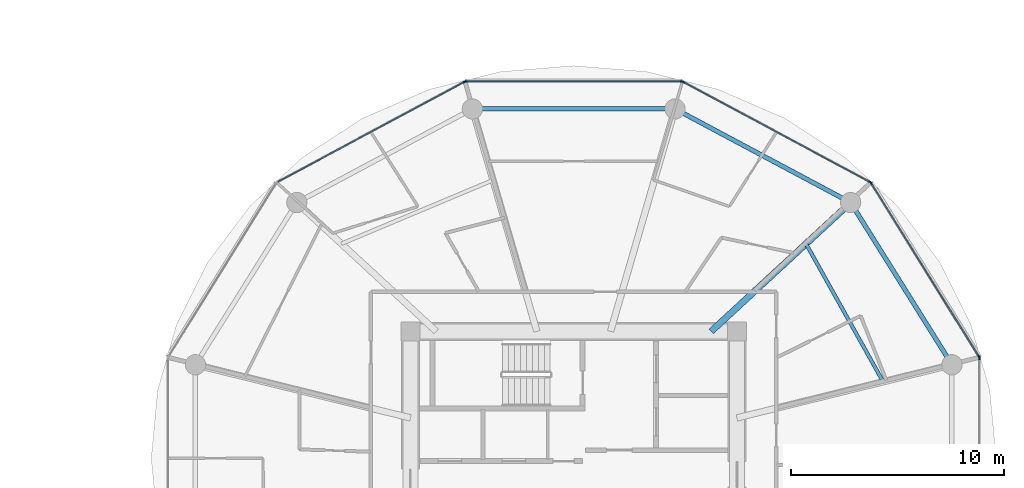
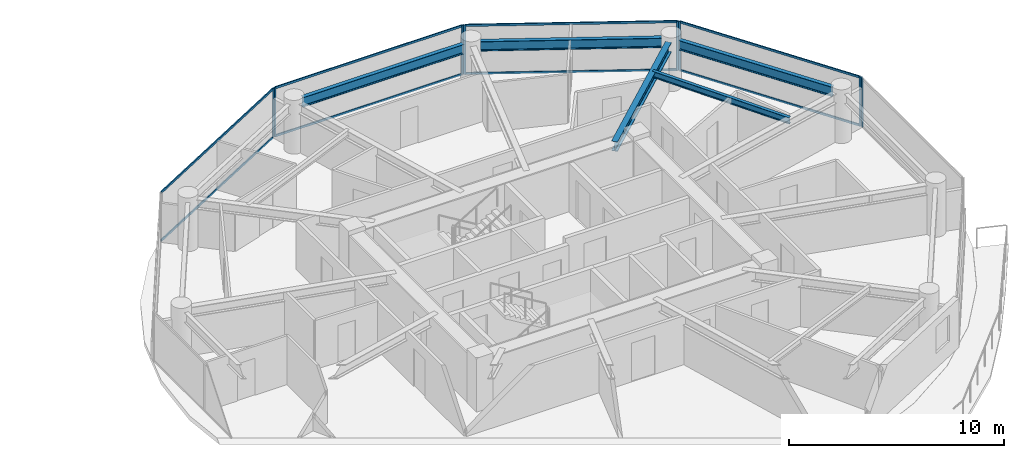
# One storey, part 13 of 26: 16 members, 5 beams, 5 elements without a shape of their own.
"""IFC4 building model written with IfcOpenShell, lengths in metres."""

from ifc_helpers import new_model, si_unit, direction, frame, origin, origin_2d, place, context, subcontext, project, spatial, rectangle, i_section, extrude, source, transform, mapped, material, layer, layer_set, material_profile, profile_set, type_object, type_shapes, element, aggregate, save


model = new_model("IFC4")

# Units and contexts
model_context = context("Model", 3, precision=1e-05, world=origin(), true_north=direction((0.0, 1.0)))
body_context = subcontext(model_context, "Body", "Model", "MODEL_VIEW")
ifc_project = project(units=[si_unit("LENGTHUNIT", "METRE"), si_unit("AREAUNIT", "SQUARE_METRE"), si_unit("VOLUMEUNIT", "CUBIC_METRE"), si_unit("PLANEANGLEUNIT", "RADIAN"), si_unit("MASSUNIT", "GRAM", prefix="KILO")], contexts=[model_context])

# Site, building, storey
site_placement = place(None, origin())
site = spatial("IfcSite", under=ifc_project, at=site_placement, CompositionType="ELEMENT")
building_placement = place(site_placement, origin())
building = spatial("IfcBuilding", under=site, at=building_placement, Name="Norrkilde Senior Care Towers", CompositionType="ELEMENT")
storey_placement = place(building_placement, frame((0.0, 0.0, 24.64990234375)))
storey = spatial("IfcBuildingStorey", under=building, at=storey_placement, Name="L06", CompositionType="ELEMENT", Elevation=24.64990234375)

# Beams
ifc_material_1 = material(Name="Steel S355", Category="steel")
ifc_material_profile_1 = material_profile(ifc_material_1, i_section(OverallWidth=0.2099609375, OverallDepth=0.550048828125, WebThickness=0.010986328125, FlangeThickness=0.01708984375, FilletRadius=0.02392578125, at=origin_2d()), Name="IPE 550")
ifc_profile_set_1 = profile_set([ifc_material_profile_1], Name="Steel S355")
beam_type_1 = type_object("IfcBeamType", Name="Perimeter Ring Spandrel Z1 IPE550", PredefinedType="SPANDREL", material=ifc_profile_set_1)
shared_shape_1 = source(origin(), body_context, "Body", "SweptSolid", [
    extrude(i_section(OverallWidth=0.2099609375, OverallDepth=0.550048828125, WebThickness=0.010986328125, FlangeThickness=0.01708984375, FilletRadius=0.02392578125, at=origin_2d()), origin(), (0.0, 0.0, 1.0), 8.090576171875),
])
beam_1_placement = place(storey_placement, frame((45.494140625, 4.755859375, 2.51513671875), z_axis=(-0.530004364821, 0.84799491347, 0.0), x_axis=(-0.84799491347, -0.530004364821, 0.0)))
element("IfcBeam", 1, at=beam_1_placement, inside=storey, type_object=beam_type_1, Name="L06 Drum E Perimeter Spandrel 01", PredefinedType="SPANDREL", context=body_context, shape_type="MappedRepresentation", body=[
    mapped(shared_shape_1, transform((0.0, 0.0, 0.0), x_axis=(1.0, 0.0, 0.0), y_axis=(0.0, 1.0, 0.0), z_axis=(0.0, 0.0, 1.0), scale=1.0)),
])
shared_shape_2 = source(origin(), body_context, "Body", "SweptSolid", [
    extrude(i_section(OverallWidth=0.2099609375, OverallDepth=0.550048828125, WebThickness=0.010986328125, FlangeThickness=0.01708984375, FilletRadius=0.02392578125, at=origin_2d()), origin(), (0.0, 0.0, 1.0), 8.452880859375),
])
beam_2_placement = place(storey_placement, frame((40.591552734375, 12.190185546875, 2.51513671875), z_axis=(-0.882368931134, 0.470558252898, 0.0), x_axis=(-0.470558252898, -0.882368931134, 0.0)))
element("IfcBeam", 2, at=beam_2_placement, inside=storey, type_object=beam_type_1, Name="L06 Drum E Perimeter Spandrel 02", PredefinedType="SPANDREL", context=body_context, shape_type="MappedRepresentation", body=[
    mapped(shared_shape_2, transform((0.0, 0.0, 0.0), x_axis=(1.0, 0.0, 0.0), y_axis=(0.0, 1.0, 0.0), z_axis=(0.0, 0.0, 1.0), scale=1.0)),
])
ifc_material_profile_2 = material_profile(ifc_material_1, i_section(OverallWidth=0.300048828125, OverallDepth=0.550048828125, WebThickness=0.014892578125, FlangeThickness=0.029052734375, FilletRadius=0.027099609375, at=origin_2d()), Name="HEB 550")
ifc_profile_set_2 = profile_set([ifc_material_profile_2], Name="Steel S355")
beam_type_2 = type_object("IfcBeamType", Name="Radial Floor Beam Z1 HEB550", PredefinedType="BEAM", material=ifc_profile_set_2)
shared_shape_3 = source(origin(), body_context, "Body", "SweptSolid", [
    extrude(i_section(OverallWidth=0.300048828125, OverallDepth=0.550048828125, WebThickness=0.014892578125, FlangeThickness=0.029052734375, FilletRadius=0.027099609375, at=origin_2d()), origin(), (0.0, 0.0, 1.0), 8.459716796875),
])
type_shapes(beam_type_2, [shared_shape_3])
beam_3_placement = place(storey_placement, frame((34.44140625, 5.949951171875, 2.51513671875), z_axis=(0.734573269108, 0.678529374686, 0.0), x_axis=(-0.678529374686, 0.734573269108, 0.0)))
element("IfcBeam", 3, at=beam_3_placement, inside=storey, type_object=beam_type_2, Name="L06 Drum E Radial Floor Beam 02", PredefinedType="BEAM", context=body_context, shape_type="MappedRepresentation", body=[
    mapped(shared_shape_3, transform((0.0, 0.0, 0.0), x_axis=(1.0, 0.0, 0.0), y_axis=(0.0, 1.0, 0.0), z_axis=(0.0, 0.0, 1.0), scale=1.0)),
])
shared_shape_4 = source(origin(), body_context, "Body", "SweptSolid", [
    extrude(i_section(OverallWidth=0.2099609375, OverallDepth=0.550048828125, WebThickness=0.010986328125, FlangeThickness=0.01708984375, FilletRadius=0.02392578125, at=origin_2d()), origin(), (0.0, 0.0, 1.0), 8.62841796875),
])
type_shapes(beam_type_1, [shared_shape_1, shared_shape_2, shared_shape_4])
beam_4_placement = place(storey_placement, frame((32.314208984375, 16.37255859375, 2.51513671875), z_axis=(-1.0, 0.0, 0.0), x_axis=(0.0, -1.0, 0.0)))
element("IfcBeam", 4, at=beam_4_placement, inside=storey, type_object=beam_type_1, Name="L06 Drum E Perimeter Spandrel 03", PredefinedType="SPANDREL", context=body_context, shape_type="MappedRepresentation", body=[
    mapped(shared_shape_4, transform((0.0, 0.0, 0.0), x_axis=(1.0, 0.0, 0.0), y_axis=(0.0, 1.0, 0.0), z_axis=(0.0, 0.0, 1.0), scale=1.0)),
])
ifc_material_profile_3 = material_profile(ifc_material_1, i_section(OverallWidth=0.169921875, OverallDepth=0.360107421875, WebThickness=0.008056640625, FlangeThickness=0.0126953125, FilletRadius=0.01806640625, at=origin_2d()), Name="IPE 360")
ifc_profile_set_3 = profile_set([ifc_material_profile_3], Name="Steel S355")
beam_type_3 = type_object("IfcBeamType", Name="Secondary Floor Joist IPE360", PredefinedType="JOIST", material=ifc_profile_set_3)
shared_shape_5 = source(origin(), body_context, "Body", "SweptSolid", [
    extrude(i_section(OverallWidth=0.169921875, OverallDepth=0.360107421875, WebThickness=0.008056640625, FlangeThickness=0.0126953125, FilletRadius=0.01806640625, at=origin_2d()), origin(), (0.0, 0.0, 1.0), 7.40771484375),
])
type_shapes(beam_type_3, [shared_shape_5])
beam_5_placement = place(storey_placement, frame((42.500732421875, 3.589111328125, 2.610107421875), z_axis=(-0.488167754092, 0.872749817453, 0.0), x_axis=(-0.872749817453, -0.488167754092, 0.0)))
element("IfcBeam", 5, at=beam_5_placement, inside=storey, type_object=beam_type_3, Name="L06 Drum E Secondary Floor Joist 1", PredefinedType="JOIST", context=body_context, shape_type="MappedRepresentation", body=[
    mapped(shared_shape_5, transform((0.0, 0.0, 0.0), x_axis=(1.0, 0.0, 0.0), y_axis=(0.0, 1.0, 0.0), z_axis=(0.0, 0.0, 1.0), scale=1.0)),
])

# Curtain wall, members
ifc_material_2 = material(Name="Triple Low-E Insulated Glazing", Category="glass")
ifc_layer = layer(ifc_material_2, 0.199951171875)
ifc_layer_set = layer_set([ifc_layer], Name="Triple Low-E Insulated Glazing")
curtain_wall_type = type_object("IfcCurtainWallType", Name="CW2 Zone 1 Memory Care Curtain Wall", PredefinedType="NOTDEFINED", material=ifc_layer_set)
curtain_wall_1_placement = place(storey_placement, origin())
curtain_wall_1 = element("IfcCurtainWall", 6, at=curtain_wall_1_placement, inside=storey, type_object=curtain_wall_type, Name="L06 Drum E Curtain Wall 00", PredefinedType="NOTDEFINED")
ifc_material_3 = material(Name="Anodised Aluminium", Category="aluminium")
ifc_material_profile_4 = material_profile(ifc_material_3, rectangle(XDim=0.06494140625, YDim=0.159912109375, at=origin_2d()), Name="ALU MULL 65x160")
ifc_profile_set_4 = profile_set([ifc_material_profile_4], Name="Anodised Aluminium")
member_type_1 = type_object("IfcMemberType", Name="Curtain Wall Mullion Z1-Z2 65x160", PredefinedType="MULLION", material=ifc_profile_set_4)
shared_shape_6 = source(origin(), body_context, "Body", "SweptSolid", [
    extrude(rectangle(XDim=0.06494140625, YDim=0.159912109375, at=origin_2d()), origin(), (0.0, 0.0, 1.0), 2.7900390625),
])
type_shapes(member_type_1, [shared_shape_6])
member_1_placement = place(storey_placement, frame((41.93310546875, 12.898193359375, 0.0), z_axis=(0.0, 0.0, 1.0), x_axis=(0.849305943117, 0.527900951871, 0.0)))
member_1 = element("IfcMember", 7, at=member_1_placement, type_object=member_type_1, Name="CW-2 mullion 1", PredefinedType="MULLION", context=body_context, shape_type="MappedRepresentation", body=[
    mapped(shared_shape_6, transform((0.0, 0.0, 0.0), x_axis=(1.0, 0.0, 0.0), y_axis=(0.0, 1.0, 0.0), z_axis=(0.0, 0.0, 1.0), scale=1.0)),
])
member_2_placement = place(storey_placement, frame((46.9921875, 4.7587890625, 0.0), z_axis=(0.0, 0.0, 1.0), x_axis=(0.849305943117, 0.527900951871, 0.0)))
member_2 = element("IfcMember", 8, at=member_2_placement, type_object=member_type_1, Name="CW-2 mullion 2", PredefinedType="MULLION", context=body_context, shape_type="MappedRepresentation", body=[
    mapped(shared_shape_6, transform((0.0, 0.0, 0.0), x_axis=(1.0, 0.0, 0.0), y_axis=(0.0, 1.0, 0.0), z_axis=(0.0, 0.0, 1.0), scale=1.0)),
])

curtain_wall_2_placement = place(storey_placement, origin())
curtain_wall_2 = element("IfcCurtainWall", 9, at=curtain_wall_2_placement, inside=storey, type_object=curtain_wall_type, Name="L06 Drum E Curtain Wall 01", PredefinedType="NOTDEFINED")
member_3_placement = place(storey_placement, frame((33.122314453125, 17.641845703125, 0.0), z_axis=(0.0, 0.0, 1.0), x_axis=(0.472607802456, 0.881272866403, 0.0)))
member_3 = element("IfcMember", 10, at=member_3_placement, type_object=member_type_1, Name="CW-2 mullion 1", PredefinedType="MULLION", context=body_context, shape_type="MappedRepresentation", body=[
    mapped(shared_shape_6, transform((0.0, 0.0, 0.0), x_axis=(1.0, 0.0, 0.0), y_axis=(0.0, 1.0, 0.0), z_axis=(0.0, 0.0, 1.0), scale=1.0)),
])
member_4_placement = place(storey_placement, frame((41.88720703125, 12.941162109375, 0.0), z_axis=(0.0, 0.0, 1.0), x_axis=(0.472607802456, 0.881272866403, 0.0)))
member_4 = element("IfcMember", 11, at=member_4_placement, type_object=member_type_1, Name="CW-2 mullion 2", PredefinedType="MULLION", context=body_context, shape_type="MappedRepresentation", body=[
    mapped(shared_shape_6, transform((0.0, 0.0, 0.0), x_axis=(1.0, 0.0, 0.0), y_axis=(0.0, 1.0, 0.0), z_axis=(0.0, 0.0, 1.0), scale=1.0)),
])

curtain_wall_3_placement = place(storey_placement, origin())
curtain_wall_3 = element("IfcCurtainWall", 12, at=curtain_wall_3_placement, inside=storey, type_object=curtain_wall_type, Name="L06 Drum E Curtain Wall 02", PredefinedType="NOTDEFINED")
member_5_placement = place(storey_placement, frame((22.93896484375, 17.6572265625, 0.0), z_axis=(0.0, 0.0, 1.0), x_axis=(0.0, 1.0, 0.0)))
member_5 = element("IfcMember", 13, at=member_5_placement, type_object=member_type_1, Name="CW-2 mullion 1", PredefinedType="MULLION", context=body_context, shape_type="MappedRepresentation", body=[
    mapped(shared_shape_6, transform((0.0, 0.0, 0.0), x_axis=(1.0, 0.0, 0.0), y_axis=(0.0, 1.0, 0.0), z_axis=(0.0, 0.0, 1.0), scale=1.0)),
])
member_6_placement = place(storey_placement, frame((33.06103515625, 17.6572265625, 0.0), z_axis=(0.0, 0.0, 1.0), x_axis=(0.0, 1.0, 0.0)))
member_6 = element("IfcMember", 14, at=member_6_placement, type_object=member_type_1, Name="CW-2 mullion 2", PredefinedType="MULLION", context=body_context, shape_type="MappedRepresentation", body=[
    mapped(shared_shape_6, transform((0.0, 0.0, 0.0), x_axis=(1.0, 0.0, 0.0), y_axis=(0.0, 1.0, 0.0), z_axis=(0.0, 0.0, 1.0), scale=1.0)),
])

# Curtain wall, member
curtain_wall_4_placement = place(storey_placement, origin())
curtain_wall_4 = element("IfcCurtainWall", 15, at=curtain_wall_4_placement, inside=storey, type_object=curtain_wall_type, Name="L06 Drum E Curtain Wall 03", PredefinedType="NOTDEFINED")
member_7_placement = place(storey_placement, frame((22.877685546875, 17.641845703125, 0.0), z_axis=(0.0, 0.0, 1.0), x_axis=(-0.472607802456, 0.881272866403, 0.0)))
member_7 = element("IfcMember", 16, at=member_7_placement, type_object=member_type_1, Name="CW-2 mullion 2", PredefinedType="MULLION", context=body_context, shape_type="MappedRepresentation", body=[
    mapped(shared_shape_6, transform((0.0, 0.0, 0.0), x_axis=(1.0, 0.0, 0.0), y_axis=(0.0, 1.0, 0.0), z_axis=(0.0, 0.0, 1.0), scale=1.0)),
])

curtain_wall_5_placement = place(storey_placement, origin())
curtain_wall_5 = element("IfcCurtainWall", 17, at=curtain_wall_5_placement, inside=storey, type_object=curtain_wall_type, Name="L06 Drum E Curtain Wall 11", PredefinedType="NOTDEFINED")
member_8_placement = place(storey_placement, frame((47.009521484375, 4.69873046875, 0.0), z_axis=(0.0, 0.0, 1.0), x_axis=(1.0, 0.0, 0.0)))
member_8 = element("IfcMember", 18, at=member_8_placement, type_object=member_type_1, Name="CW-2 mullion 1", PredefinedType="MULLION", context=body_context, shape_type="MappedRepresentation", body=[
    mapped(shared_shape_6, transform((0.0, 0.0, 0.0), x_axis=(1.0, 0.0, 0.0), y_axis=(0.0, 1.0, 0.0), z_axis=(0.0, 0.0, 1.0), scale=1.0)),
])
aggregate(curtain_wall_5, [member_8])

# Member
ifc_material_profile_5 = material_profile(ifc_material_3, rectangle(XDim=0.06005859375, YDim=0.1201171875, at=origin_2d()), Name="ALU TRAN 60x120")
ifc_profile_set_5 = profile_set([ifc_material_profile_5], Name="Anodised Aluminium")
member_type_2 = type_object("IfcMemberType", Name="Curtain Wall Transom Typical 60x120", PredefinedType="USERDEFINED", material=ifc_profile_set_5)
shared_shape_7 = source(origin(), body_context, "Body", "SweptSolid", [
    extrude(rectangle(XDim=0.06005859375, YDim=0.1201171875, at=origin_2d()), origin(), (0.0, 0.0, 1.0), 9.5185546875),
])
member_9_placement = place(storey_placement, frame((41.9501953125, 12.87060546875, 0.030029296875), z_axis=(0.527901620669, -0.849305527413, 0.0), x_axis=(0.849305527413, 0.527901620669, 0.0)))
member_9 = element("IfcMember", 19, at=member_9_placement, type_object=member_type_2, Name="CW-2 transom 1.1", ObjectType="TRANSOM", PredefinedType="USERDEFINED", context=body_context, shape_type="MappedRepresentation", body=[
    mapped(shared_shape_7, transform((0.0, 0.0, 0.0), x_axis=(1.0, 0.0, 0.0), y_axis=(0.0, 1.0, 0.0), z_axis=(0.0, 0.0, 1.0), scale=1.0)),
])

member_10_placement = place(storey_placement, frame((41.9501953125, 12.87060546875, 2.760009765625), z_axis=(0.527901620669, -0.849305527413, 0.0), x_axis=(0.849305527413, 0.527901620669, 0.0)))
member_10 = element("IfcMember", 20, at=member_10_placement, type_object=member_type_2, Name="CW-2 transom 1.2", ObjectType="TRANSOM", PredefinedType="USERDEFINED", context=body_context, shape_type="MappedRepresentation", body=[
    mapped(shared_shape_7, transform((0.0, 0.0, 0.0), x_axis=(1.0, 0.0, 0.0), y_axis=(0.0, 1.0, 0.0), z_axis=(0.0, 0.0, 1.0), scale=1.0)),
])

aggregate(curtain_wall_1, [member_1, member_2, member_9, member_10])

shared_shape_8 = source(origin(), body_context, "Body", "SweptSolid", [
    extrude(rectangle(XDim=0.06005859375, YDim=0.1201171875, at=origin_2d()), origin(), (0.0, 0.0, 1.0), 9.880859375),
])
member_11_placement = place(storey_placement, frame((33.15087890625, 17.62646484375, 0.030029296875), z_axis=(0.881267204043, -0.47261836092, 0.0), x_axis=(0.47261836092, 0.881267204043, 0.0)))
member_11 = element("IfcMember", 21, at=member_11_placement, type_object=member_type_2, Name="CW-2 transom 1.1", ObjectType="TRANSOM", PredefinedType="USERDEFINED", context=body_context, shape_type="MappedRepresentation", body=[
    mapped(shared_shape_8, transform((0.0, 0.0, 0.0), x_axis=(1.0, 0.0, 0.0), y_axis=(0.0, 1.0, 0.0), z_axis=(0.0, 0.0, 1.0), scale=1.0)),
])

member_12_placement = place(storey_placement, frame((33.15087890625, 17.62646484375, 2.760009765625), z_axis=(0.881267204043, -0.47261836092, 0.0), x_axis=(0.47261836092, 0.881267204043, 0.0)))
member_12 = element("IfcMember", 22, at=member_12_placement, type_object=member_type_2, Name="CW-2 transom 1.2", ObjectType="TRANSOM", PredefinedType="USERDEFINED", context=body_context, shape_type="MappedRepresentation", body=[
    mapped(shared_shape_8, transform((0.0, 0.0, 0.0), x_axis=(1.0, 0.0, 0.0), y_axis=(0.0, 1.0, 0.0), z_axis=(0.0, 0.0, 1.0), scale=1.0)),
])

aggregate(curtain_wall_2, [member_3, member_4, member_11, member_12])

member_13_placement = place(storey_placement, frame((14.141357421875, 12.95654296875, 0.030029296875), z_axis=(0.881267204043, 0.47261836092, 0.0), x_axis=(-0.47261836092, 0.881267204043, 0.0)))
member_13 = element("IfcMember", 23, at=member_13_placement, type_object=member_type_2, Name="CW-2 transom 1.1", ObjectType="TRANSOM", PredefinedType="USERDEFINED", context=body_context, shape_type="MappedRepresentation", body=[
    mapped(shared_shape_8, transform((0.0, 0.0, 0.0), x_axis=(1.0, 0.0, 0.0), y_axis=(0.0, 1.0, 0.0), z_axis=(0.0, 0.0, 1.0), scale=1.0)),
])

member_14_placement = place(storey_placement, frame((14.141357421875, 12.95654296875, 2.760009765625), z_axis=(0.881267204043, 0.47261836092, 0.0), x_axis=(-0.47261836092, 0.881267204043, 0.0)))
member_14 = element("IfcMember", 24, at=member_14_placement, type_object=member_type_2, Name="CW-2 transom 1.2", ObjectType="TRANSOM", PredefinedType="USERDEFINED", context=body_context, shape_type="MappedRepresentation", body=[
    mapped(shared_shape_8, transform((0.0, 0.0, 0.0), x_axis=(1.0, 0.0, 0.0), y_axis=(0.0, 1.0, 0.0), z_axis=(0.0, 0.0, 1.0), scale=1.0)),
])

aggregate(curtain_wall_4, [member_7, member_13, member_14])

shared_shape_9 = source(origin(), body_context, "Body", "SweptSolid", [
    extrude(rectangle(XDim=0.06005859375, YDim=0.1201171875, at=origin_2d()), origin(), (0.0, 0.0, 1.0), 10.05712890625),
])
type_shapes(member_type_2, [shared_shape_7, shared_shape_8, shared_shape_9])
member_15_placement = place(storey_placement, frame((22.971435546875, 17.6572265625, 0.030029296875), z_axis=(1.0, 0.0, 0.0), x_axis=(0.0, 1.0, 0.0)))
member_15 = element("IfcMember", 25, at=member_15_placement, type_object=member_type_2, Name="CW-2 transom 1.1", ObjectType="TRANSOM", PredefinedType="USERDEFINED", context=body_context, shape_type="MappedRepresentation", body=[
    mapped(shared_shape_9, transform((0.0, 0.0, 0.0), x_axis=(1.0, 0.0, 0.0), y_axis=(0.0, 1.0, 0.0), z_axis=(0.0, 0.0, 1.0), scale=1.0)),
])

member_16_placement = place(storey_placement, frame((22.971435546875, 17.6572265625, 2.760009765625), z_axis=(1.0, 0.0, 0.0), x_axis=(0.0, 1.0, 0.0)))
member_16 = element("IfcMember", 26, at=member_16_placement, type_object=member_type_2, Name="CW-2 transom 1.2", ObjectType="TRANSOM", PredefinedType="USERDEFINED", context=body_context, shape_type="MappedRepresentation", body=[
    mapped(shared_shape_9, transform((0.0, 0.0, 0.0), x_axis=(1.0, 0.0, 0.0), y_axis=(0.0, 1.0, 0.0), z_axis=(0.0, 0.0, 1.0), scale=1.0)),
])

aggregate(curtain_wall_3, [member_5, member_6, member_15, member_16])

save(model, "model.ifc")
